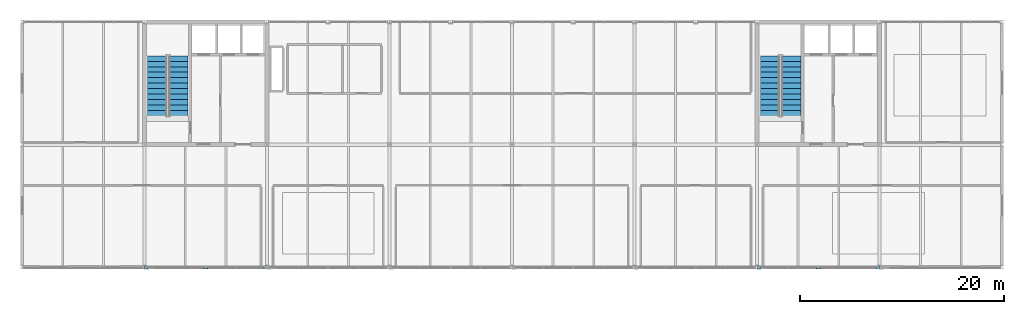
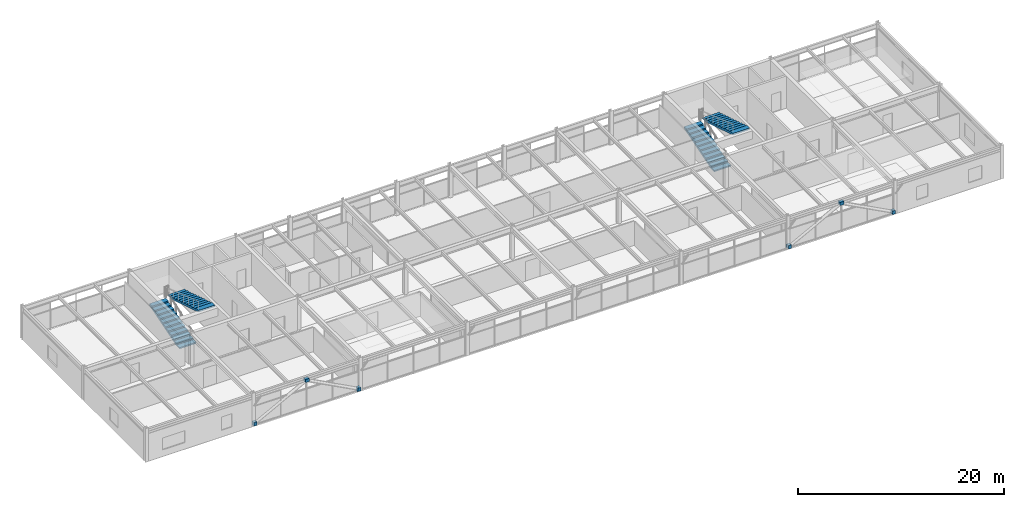
# One storey, part 38 of 40: 6 discrete accessories, 4 stair flights, 2 elements without a shape of their own.
"""IFC4 building model written with IfcOpenShell, lengths in metres."""

from ifc_helpers import new_model, si_unit, direction, frame, origin, origin_2d, place, context, subcontext, project, spatial, polyline, rectangle, outline, extrude, material, type_object, element, aggregate, save


model = new_model("IFC4")

# Units and contexts
model_context = context("Model", 3, precision=1e-05, world=origin(), true_north=direction((0.0, 1.0)))
body_context = subcontext(model_context, "Body", "Model", "MODEL_VIEW")
ifc_project = project(units=[si_unit("LENGTHUNIT", "METRE"), si_unit("AREAUNIT", "SQUARE_METRE"), si_unit("VOLUMEUNIT", "CUBIC_METRE"), si_unit("PLANEANGLEUNIT", "RADIAN"), si_unit("MASSUNIT", "GRAM", prefix="KILO")], contexts=[model_context])

# Site, building, storey
site_placement = place(None, origin())
site = spatial("IfcSite", under=ifc_project, at=site_placement, CompositionType="ELEMENT")
building_placement = place(site_placement, origin())
building = spatial("IfcBuilding", under=site, at=building_placement, Name="Girod Span Mobility Hub", CompositionType="ELEMENT")
storey_placement = place(building_placement, frame((0.0, 0.0, 53.60009765625)))
storey = spatial("IfcBuildingStorey", under=building, at=storey_placement, Name="L13", CompositionType="ELEMENT", Elevation=53.60009765625)

# Stair, stair flights
ifc_material_1 = material(Name="Concrete C40/50", Category="concrete")
stair_type = type_object("IfcStairType", Name="STR-4000-W1860", PredefinedType="HALF_TURN_STAIR", material=ifc_material_1)
stair_1_placement = place(storey_placement, origin())
stair_1 = element("IfcStair", 1, at=stair_1_placement, inside=storey, type_object=stair_type, Name="Exit Stair ST-1 L13", PredefinedType="HALF_TURN_STAIR")
ifc_material_2 = material(Name="Concrete C40/50", Category="concrete")
stair_flight_type = type_object("IfcStairFlightType", Name="STF-2000-W1860", PredefinedType="STRAIGHT", material=ifc_material_2)
stair_flight_1_placement = place(storey_placement, frame((49.25, 59.81005859375, 0.0), z_axis=(0.0, 0.0, 1.0), x_axis=(0.0, 1.0, 0.0)))
stair_flight_1 = element("IfcStairFlight", 2, at=stair_flight_1_placement, type_object=stair_flight_type, Name="Stair ST-1 Flight 1 L13", NumberOfRisers=12, NumberOfTreads=11, PredefinedType="STRAIGHT", RiserHeight=0.16667, TreadLength=0.53455, context=body_context, shape_type="SweptSolid", body=[
    extrude(outline(polyline([(0.0, 0.0), (0.0, 0.166748046875), (0.53466796875, 0.166748046875), (0.53466796875, 0.333251953125), (1.069091796875, 0.333251953125), (1.069091796875, 0.5), (1.603759765625, 0.5), (1.603759765625, 0.666748046875), (2.13818359375, 0.666748046875), (2.13818359375, 0.833251953125), (2.6728515625, 0.833251953125), (2.6728515625, 1.0), (3.207275390625, 1.0), (3.207275390625, 1.166748046875), (3.741943359375, 1.166748046875), (3.741943359375, 1.333251953125), (4.2763671875, 1.333251953125), (4.2763671875, 1.5), (4.81103515625, 1.5), (4.81103515625, 1.666748046875), (5.345458984375, 1.666748046875), (5.345458984375, 1.833251953125), (5.880126953125, 1.833251953125), (5.880126953125, 2.0), (5.880126953125, 1.634521484375), (0.63818359375, 0.0), (0.0, 0.0)])), frame((0.0, 0.93017578125, 0.0), z_axis=(0.0, -1.0, 0.0), x_axis=(1.0, 0.0, 0.0)), (0.0, 0.0, 1.0), 1.860107421875),
])
stair_flight_2_placement = place(storey_placement, frame((51.35009765625, 65.68994140625, 2.0), z_axis=(0.0, 0.0, 1.0), x_axis=(0.0, -1.0, 0.0)))
stair_flight_2 = element("IfcStairFlight", 3, at=stair_flight_2_placement, type_object=stair_flight_type, Name="Stair ST-1 Flight 2 L13", NumberOfRisers=12, NumberOfTreads=11, PredefinedType="STRAIGHT", RiserHeight=0.16667, TreadLength=0.53455, context=body_context, shape_type="SweptSolid", body=[
    extrude(outline(polyline([(0.0, 0.0), (0.0, 0.166748046875), (0.53466796875, 0.166748046875), (0.53466796875, 0.333251953125), (1.069091796875, 0.333251953125), (1.069091796875, 0.5), (1.603759765625, 0.5), (1.603759765625, 0.666748046875), (2.13818359375, 0.666748046875), (2.13818359375, 0.833251953125), (2.6728515625, 0.833251953125), (2.6728515625, 1.0), (3.207275390625, 1.0), (3.207275390625, 1.166748046875), (3.741943359375, 1.166748046875), (3.741943359375, 1.333251953125), (4.2763671875, 1.333251953125), (4.2763671875, 1.5), (4.81103515625, 1.5), (4.81103515625, 1.666748046875), (5.345458984375, 1.666748046875), (5.345458984375, 1.833251953125), (5.880126953125, 1.833251953125), (5.880126953125, 2.0), (5.880126953125, 1.634521484375), (0.63818359375, 0.0), (0.0, 0.0)])), frame((0.0, 0.93017578125, 0.0), z_axis=(0.0, -1.0, 0.0), x_axis=(1.0, 0.0, 0.0)), (0.0, 0.0, 1.0), 1.860107421875),
])
aggregate(stair_1, [stair_flight_1, stair_flight_2])

stair_2_placement = place(storey_placement, origin())
stair_2 = element("IfcStair", 4, at=stair_2_placement, inside=storey, type_object=stair_type, Name="Exit Stair ST-2 L13", PredefinedType="HALF_TURN_STAIR")
stair_flight_3_placement = place(storey_placement, frame((109.25, 59.81005859375, 0.0), z_axis=(0.0, 0.0, 1.0), x_axis=(0.0, 1.0, 0.0)))
stair_flight_3 = element("IfcStairFlight", 5, at=stair_flight_3_placement, type_object=stair_flight_type, Name="Stair ST-2 Flight 1 L13", NumberOfRisers=12, NumberOfTreads=11, PredefinedType="STRAIGHT", RiserHeight=0.16667, TreadLength=0.53455, context=body_context, shape_type="SweptSolid", body=[
    extrude(outline(polyline([(0.0, 0.0), (0.0, 0.166748046875), (0.53466796875, 0.166748046875), (0.53466796875, 0.333251953125), (1.069091796875, 0.333251953125), (1.069091796875, 0.5), (1.603759765625, 0.5), (1.603759765625, 0.666748046875), (2.13818359375, 0.666748046875), (2.13818359375, 0.833251953125), (2.6728515625, 0.833251953125), (2.6728515625, 1.0), (3.207275390625, 1.0), (3.207275390625, 1.166748046875), (3.741943359375, 1.166748046875), (3.741943359375, 1.333251953125), (4.2763671875, 1.333251953125), (4.2763671875, 1.5), (4.81103515625, 1.5), (4.81103515625, 1.666748046875), (5.345458984375, 1.666748046875), (5.345458984375, 1.833251953125), (5.880126953125, 1.833251953125), (5.880126953125, 2.0), (5.880126953125, 1.634521484375), (0.63818359375, 0.0), (0.0, 0.0)])), frame((0.0, 0.93017578125, 0.0), z_axis=(0.0, -1.0, 0.0), x_axis=(1.0, 0.0, 0.0)), (0.0, 0.0, 1.0), 1.860107421875),
])
stair_flight_4_placement = place(storey_placement, frame((111.35009765625, 65.68994140625, 2.0), z_axis=(0.0, 0.0, 1.0), x_axis=(0.0, -1.0, 0.0)))
stair_flight_4 = element("IfcStairFlight", 6, at=stair_flight_4_placement, type_object=stair_flight_type, Name="Stair ST-2 Flight 2 L13", NumberOfRisers=12, NumberOfTreads=11, PredefinedType="STRAIGHT", RiserHeight=0.16667, TreadLength=0.53455, context=body_context, shape_type="SweptSolid", body=[
    extrude(outline(polyline([(0.0, 0.0), (0.0, 0.166748046875), (0.53466796875, 0.166748046875), (0.53466796875, 0.333251953125), (1.069091796875, 0.333251953125), (1.069091796875, 0.5), (1.603759765625, 0.5), (1.603759765625, 0.666748046875), (2.13818359375, 0.666748046875), (2.13818359375, 0.833251953125), (2.6728515625, 0.833251953125), (2.6728515625, 1.0), (3.207275390625, 1.0), (3.207275390625, 1.166748046875), (3.741943359375, 1.166748046875), (3.741943359375, 1.333251953125), (4.2763671875, 1.333251953125), (4.2763671875, 1.5), (4.81103515625, 1.5), (4.81103515625, 1.666748046875), (5.345458984375, 1.666748046875), (5.345458984375, 1.833251953125), (5.880126953125, 1.833251953125), (5.880126953125, 2.0), (5.880126953125, 1.634521484375), (0.63818359375, 0.0), (0.0, 0.0)])), frame((0.0, 0.93017578125, 0.0), z_axis=(0.0, -1.0, 0.0), x_axis=(1.0, 0.0, 0.0)), (0.0, 0.0, 1.0), 1.860107421875),
])
aggregate(stair_2, [stair_flight_3, stair_flight_4])

# Discrete accessories
ifc_material_3 = material(Name="Steel HSS A500 Grade C", Category="steel")
discrete_accessory_type = type_object("IfcDiscreteAccessoryType", Name="ACC-CAP-HSS324", PredefinedType="BRACKET", material=ifc_material_3)
for number, where, z_axis, x_axis, name in (
    (7, (48.162353515625, 45.0, 0.0400390625), (0.0, 0.0, 1.0), (1.0, 0.0, 0.0), "Diagrid Brace End Cap Gusset 5/D-L L13"),
    (8, (59.837646484375, 45.0, 0.0400390625), (0.0, 0.0, 1.0), (1.0, 0.0, 0.0), "Diagrid Brace End Cap Gusset 5/D-R L13"),
):
    element("IfcDiscreteAccessory", number, at=place(storey_placement, frame(where, z_axis=z_axis, x_axis=x_axis)), inside=storey, type_object=discrete_accessory_type, Name=name, PredefinedType="BRACKET", context=body_context, shape_type="SweptSolid", body=[
        extrude(rectangle(XDim=0.344482421875, YDim=0.360107421875, at=origin_2d()), origin(), (0.0, 0.0, 1.0), 0.419921875),
    ])
discrete_accessory_1_placement = place(storey_placement, frame((54.0, 45.0, 3.1708984375), z_axis=(0.0, 0.0, 1.0), x_axis=(1.0, 0.0, 0.0)))
element("IfcDiscreteAccessory", 9, at=discrete_accessory_1_placement, inside=storey, type_object=discrete_accessory_type, Name="Diagrid Brace Apex End Cap Gusset 5/D-M L13", PredefinedType="BRACKET", context=body_context, shape_type="SweptSolid", body=[
    extrude(rectangle(XDim=0.43994140625, YDim=0.360107421875, at=origin_2d()), origin(), (0.0, 0.0, 1.0), 0.3798828125),
])
for number, where, z_axis, x_axis, name in (
    (10, (108.162353515625, 45.0, 0.0400390625), (0.0, 0.0, 1.0), (1.0, 0.0, 0.0), "Diagrid Brace End Cap Gusset 10/D-L L13"),
    (11, (119.837646484375, 45.0, 0.0400390625), (0.0, 0.0, 1.0), (1.0, 0.0, 0.0), "Diagrid Brace End Cap Gusset 10/D-R L13"),
):
    element("IfcDiscreteAccessory", number, at=place(storey_placement, frame(where, z_axis=z_axis, x_axis=x_axis)), inside=storey, type_object=discrete_accessory_type, Name=name, PredefinedType="BRACKET", context=body_context, shape_type="SweptSolid", body=[
        extrude(rectangle(XDim=0.344482421875, YDim=0.360107421875, at=origin_2d()), origin(), (0.0, 0.0, 1.0), 0.419921875),
    ])
discrete_accessory_2_placement = place(storey_placement, frame((114.0, 45.0, 3.1708984375), z_axis=(0.0, 0.0, 1.0), x_axis=(1.0, 0.0, 0.0)))
element("IfcDiscreteAccessory", 12, at=discrete_accessory_2_placement, inside=storey, type_object=discrete_accessory_type, Name="Diagrid Brace Apex End Cap Gusset 10/D-M L13", PredefinedType="BRACKET", context=body_context, shape_type="SweptSolid", body=[
    extrude(rectangle(XDim=0.43994140625, YDim=0.360107421875, at=origin_2d()), origin(), (0.0, 0.0, 1.0), 0.3798828125),
])

save(model, "model.ifc")
